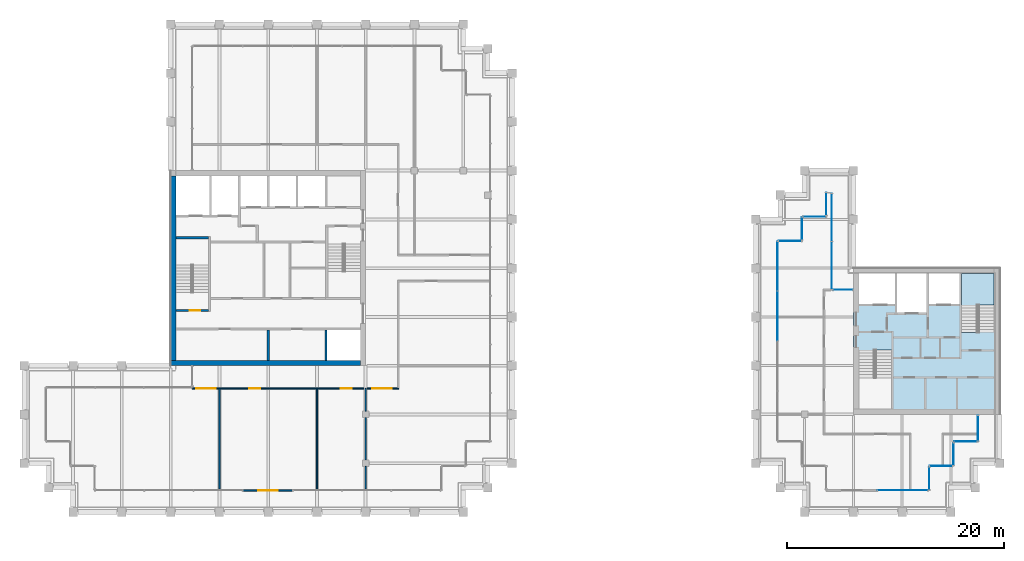
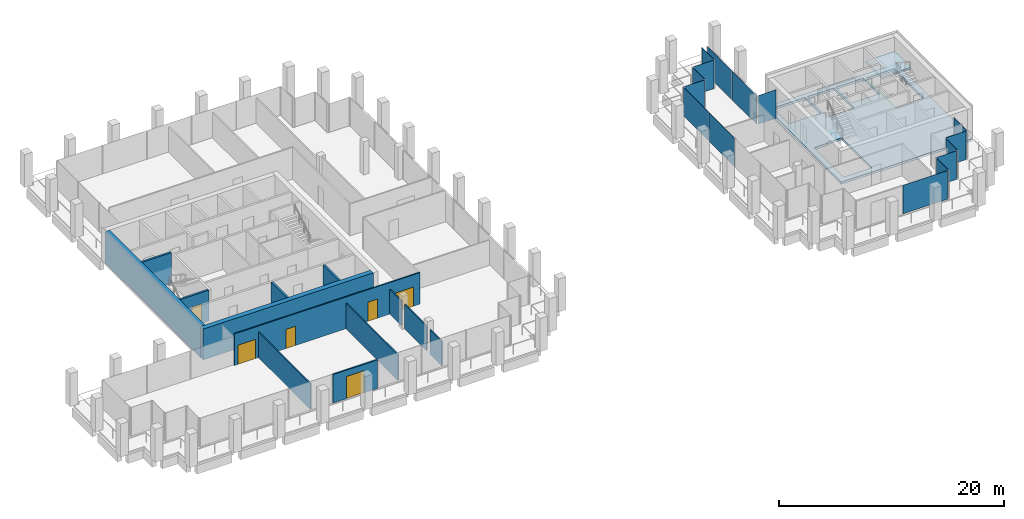
# One storey, part 35 of 40: 15 plates, 13 walls, 6 doors, 2 slabs, 6 openings, 14 elements without a shape of their own.
"""IFC4 building model written with IfcOpenShell, lengths in metres."""

from ifc_helpers import new_model, si_unit, direction, frame, frame_2d, origin, origin_2d, place, context, subcontext, project, spatial, polyline, rectangle, outline, extrude, material, layer, layer_set, type_object, element, fill, aggregate, save


model = new_model("IFC4")

# Units and contexts
model_context = context("Model", 3, precision=1e-05, world=origin(), true_north=direction((0.0, 1.0)))
body_context = subcontext(model_context, "Body", "Model", "MODEL_VIEW")
ifc_project = project(units=[si_unit("LENGTHUNIT", "METRE"), si_unit("AREAUNIT", "SQUARE_METRE"), si_unit("VOLUMEUNIT", "CUBIC_METRE"), si_unit("PLANEANGLEUNIT", "RADIAN"), si_unit("MASSUNIT", "GRAM", prefix="KILO")], contexts=[model_context])

# Site, building, storey
site_placement = place(None, origin())
site = spatial("IfcSite", under=ifc_project, at=site_placement, CompositionType="ELEMENT")
building_placement = place(site_placement, origin())
building = spatial("IfcBuilding", under=site, at=building_placement, Name="Altepetl Exchange Towers", CompositionType="ELEMENT")
storey_placement = place(building_placement, frame((0.0, 0.0, 195.60009765625)))
storey = spatial("IfcBuildingStorey", under=building, at=storey_placement, Name="L49", CompositionType="ELEMENT", Elevation=195.60009765625)

# Slab
ifc_material_1 = material(Name="Concrete C40/50", Category="concrete")
ifc_layer_1 = layer(ifc_material_1, 0.25)
ifc_layer_set_1 = layer_set([ifc_layer_1], Name="Concrete C40/50")
slab_type_1 = type_object("IfcSlabType", Name="Core floor slab 250", PredefinedType="FLOOR", material=ifc_layer_set_1)
slab_1_placement = place(storey_placement, frame((0.0, 0.0, -0.25)))
element("IfcSlab", 1, at=slab_1_placement, inside=storey, type_object=slab_type_1, Name="slab:B:L49:core0", PredefinedType="FLOOR", context=body_context, shape_type="SweptSolid", body=[
    extrude(outline(polyline([(103.5, 36.0), (117.0, 36.0), (117.0, 49.5), (103.5, 49.5), (103.5, 36.0)]), holes=[polyline([(107.0, 36.60009765625), (104.10009765625, 36.60009765625), (104.10009765625, 41.85009765625), (105.449951171875, 41.85009765625), (105.449951171875, 41.948974609375), (107.0, 41.948974609375), (107.0, 36.60009765625)]), polyline([(113.5, 48.89990234375), (116.39990234375, 48.89990234375), (116.39990234375, 43.64990234375), (115.050048828125, 43.64990234375), (115.050048828125, 43.551025390625), (113.5, 43.551025390625), (113.5, 48.89990234375)]), polyline([(107.532958984375, 45.39990234375), (107.532958984375, 49.0), (110.26708984375, 49.0), (110.26708984375, 45.39990234375), (107.532958984375, 45.39990234375)]), polyline([(104.0, 49.0), (107.3330078125, 49.0), (107.3330078125, 46.199951171875), (104.0, 46.199951171875), (104.0, 49.0)]), polyline([(110.467041015625, 49.0), (113.300048828125, 49.0), (113.300048828125, 46.199951171875), (110.467041015625, 46.199951171875), (110.467041015625, 49.0)])]), origin(), (0.0, 0.0, 1.0), 0.25),
])

# Curtain wall, plate
ifc_material_2 = material(Name="Aluminium 6063-T6 glazing", Category="aluminium")
curtain_wall_type = type_object("IfcCurtainWallType", Name="Loggia glazing system", PredefinedType="NOTDEFINED", material=ifc_material_2)
curtain_wall_1_placement = place(storey_placement, origin())
curtain_wall_1 = element("IfcCurtainWall", 2, at=curtain_wall_1_placement, inside=storey, type_object=curtain_wall_type, Name="CW1 run", PredefinedType="NOTDEFINED")
ifc_material_3 = material(Name="Glass 6-16-6 low emissivity", Category="glass")
ifc_layer_2 = layer(ifc_material_3, 0.028076171875)
ifc_layer_set_2 = layer_set([ifc_layer_2], Name="Glass 6-16-6 low emissivity")
plate_type = type_object("IfcPlateType", Name="Glass panel 28 double glazed", PredefinedType="CURTAIN_PANEL", material=ifc_layer_set_2)
plate_1_placement = place(storey_placement, frame((108.06884765625, 29.0, -0.000244140625)))
plate_1 = element("IfcPlate", 3, at=plate_1_placement, type_object=plate_type, Name="GP1 panel", PredefinedType="CURTAIN_PANEL", context=body_context, shape_type="SweptSolid", body=[
    extrude(rectangle(XDim=4.592529296875, YDim=0.028076171875, at=origin_2d()), origin(), (0.0, 0.0, 1.0), 3.10009765625),
])
aggregate(curtain_wall_1, [plate_1])

curtain_wall_2_placement = place(storey_placement, origin())
curtain_wall_2 = element("IfcCurtainWall", 4, at=curtain_wall_2_placement, inside=storey, type_object=curtain_wall_type, Name="CW1 run", PredefinedType="NOTDEFINED")
plate_2_placement = place(storey_placement, frame((110.5, 30.08740234375, -0.000244140625), z_axis=(0.0, 0.0, 1.0), x_axis=(0.0, 1.0, 0.0)))
plate_2 = element("IfcPlate", 5, at=plate_2_placement, type_object=plate_type, Name="GP1 panel", PredefinedType="CURTAIN_PANEL", context=body_context, shape_type="SweptSolid", body=[
    extrude(rectangle(XDim=2.054931640625, YDim=0.028076171875, at=origin_2d()), origin(), (0.0, 0.0, 1.0), 3.10009765625),
])
aggregate(curtain_wall_2, [plate_2])

curtain_wall_3_placement = place(storey_placement, origin())
curtain_wall_3 = element("IfcCurtainWall", 6, at=curtain_wall_3_placement, inside=storey, type_object=curtain_wall_type, Name="CW1 run", PredefinedType="NOTDEFINED")
plate_3_placement = place(storey_placement, frame((111.58740234375, 31.25, -0.000244140625)))
plate_3 = element("IfcPlate", 7, at=plate_3_placement, type_object=plate_type, Name="GP1 panel", PredefinedType="CURTAIN_PANEL", context=body_context, shape_type="SweptSolid", body=[
    extrude(rectangle(XDim=2.054931640625, YDim=0.028076171875, at=origin_2d()), origin(), (0.0, 0.0, 1.0), 3.10009765625),
])
aggregate(curtain_wall_3, [plate_3])

curtain_wall_4_placement = place(storey_placement, origin())
curtain_wall_4 = element("IfcCurtainWall", 8, at=curtain_wall_4_placement, inside=storey, type_object=curtain_wall_type, Name="CW1 run", PredefinedType="NOTDEFINED")
plate_4_placement = place(storey_placement, frame((112.75, 32.33740234375, -0.000244140625), z_axis=(0.0, 0.0, 1.0), x_axis=(0.0, 1.0, 0.0)))
plate_4 = element("IfcPlate", 9, at=plate_4_placement, type_object=plate_type, Name="GP1 panel", PredefinedType="CURTAIN_PANEL", context=body_context, shape_type="SweptSolid", body=[
    extrude(rectangle(XDim=2.054931640625, YDim=0.028076171875, at=origin_2d()), origin(), (0.0, 0.0, 1.0), 3.10009765625),
])
aggregate(curtain_wall_4, [plate_4])

curtain_wall_5_placement = place(storey_placement, origin())
curtain_wall_5 = element("IfcCurtainWall", 10, at=curtain_wall_5_placement, inside=storey, type_object=curtain_wall_type, Name="CW1 run", PredefinedType="NOTDEFINED")
plate_5_placement = place(storey_placement, frame((113.83740234375, 33.5, -0.000244140625)))
plate_5 = element("IfcPlate", 11, at=plate_5_placement, type_object=plate_type, Name="GP1 panel", PredefinedType="CURTAIN_PANEL", context=body_context, shape_type="SweptSolid", body=[
    extrude(rectangle(XDim=2.054931640625, YDim=0.028076171875, at=origin_2d()), origin(), (0.0, 0.0, 1.0), 3.10009765625),
])
aggregate(curtain_wall_5, [plate_5])

curtain_wall_6_placement = place(storey_placement, origin())
curtain_wall_6 = element("IfcCurtainWall", 12, at=curtain_wall_6_placement, inside=storey, type_object=curtain_wall_type, Name="CW1 run", PredefinedType="NOTDEFINED")
plate_6_placement = place(storey_placement, frame((115.0, 34.71240234375, -0.000244140625), z_axis=(0.0, 0.0, 1.0), x_axis=(0.0, 1.0, 0.0)))
plate_6 = element("IfcPlate", 13, at=plate_6_placement, type_object=plate_type, Name="GP1 panel", PredefinedType="CURTAIN_PANEL", context=body_context, shape_type="SweptSolid", body=[
    extrude(rectangle(XDim=2.304931640625, YDim=0.028076171875, at=origin_2d()), origin(), (0.0, 0.0, 1.0), 3.10009765625),
])
aggregate(curtain_wall_6, [plate_6])

curtain_wall_7_placement = place(storey_placement, origin())
curtain_wall_7 = element("IfcCurtainWall", 14, at=curtain_wall_7_placement, inside=storey, type_object=curtain_wall_type, Name="CW1 run", PredefinedType="NOTDEFINED")
plate_7_placement = place(storey_placement, frame((102.53759765625, 47.5, -0.000244140625), z_axis=(0.0, 0.0, 1.0), x_axis=(-1.0, 0.0, 0.0)))
plate_7 = element("IfcPlate", 15, at=plate_7_placement, type_object=plate_type, Name="GP1 panel", PredefinedType="CURTAIN_PANEL", context=body_context, shape_type="SweptSolid", body=[
    extrude(rectangle(XDim=1.804931640625, YDim=0.028076171875, at=origin_2d()), origin(), (0.0, 0.0, 1.0), 3.10009765625),
])
aggregate(curtain_wall_7, [plate_7])

# Curtain wall, plates
curtain_wall_8_placement = place(storey_placement, origin())
curtain_wall_8 = element("IfcCurtainWall", 16, at=curtain_wall_8_placement, inside=storey, type_object=curtain_wall_type, Name="CW1 run", PredefinedType="NOTDEFINED")
plate_8_placement = place(storey_placement, frame((101.5, 49.746337890625, -0.000244140625), z_axis=(0.0, 0.0, 1.0), x_axis=(0.0, 1.0, 0.0)))
plate_8 = element("IfcPlate", 17, at=plate_8_placement, type_object=plate_type, Name="GP1 panel", PredefinedType="CURTAIN_PANEL", context=body_context, shape_type="SweptSolid", body=[
    extrude(rectangle(XDim=4.37255859375, YDim=0.028076171875, at=origin_2d()), origin(), (0.0, 0.0, 1.0), 3.10009765625),
])
plate_9_placement = place(storey_placement, frame((101.5, 54.1787109375, -0.000244140625), z_axis=(0.0, 0.0, 1.0), x_axis=(0.0, 1.0, 0.0)))
plate_9 = element("IfcPlate", 18, at=plate_9_placement, type_object=plate_type, Name="GP1 panel", PredefinedType="CURTAIN_PANEL", context=body_context, shape_type="SweptSolid", body=[
    extrude(rectangle(XDim=4.37255859375, YDim=0.028076171875, at=origin_2d()), origin(), (0.0, 0.0, 1.0), 3.10009765625),
])
aggregate(curtain_wall_8, [plate_8, plate_9])

# Curtain wall, plate
curtain_wall_9_placement = place(storey_placement, origin())
curtain_wall_9 = element("IfcCurtainWall", 19, at=curtain_wall_9_placement, inside=storey, type_object=curtain_wall_type, Name="CW1 run", PredefinedType="NOTDEFINED")
plate_10_placement = place(storey_placement, frame((101.0, 55.41259765625, -0.000244140625), z_axis=(0.0, 0.0, 1.0), x_axis=(0.0, -1.0, 0.0)))
plate_10 = element("IfcPlate", 20, at=plate_10_placement, type_object=plate_type, Name="GP1 panel", PredefinedType="CURTAIN_PANEL", context=body_context, shape_type="SweptSolid", body=[
    extrude(rectangle(XDim=2.054931640625, YDim=0.028076171875, at=origin_2d()), origin(), (0.0, 0.0, 1.0), 3.10009765625),
])
aggregate(curtain_wall_9, [plate_10])

curtain_wall_10_placement = place(storey_placement, origin())
curtain_wall_10 = element("IfcCurtainWall", 21, at=curtain_wall_10_placement, inside=storey, type_object=curtain_wall_type, Name="CW1 run", PredefinedType="NOTDEFINED")
plate_11_placement = place(storey_placement, frame((99.91259765625, 54.25, -0.000244140625), z_axis=(0.0, 0.0, 1.0), x_axis=(-1.0, 0.0, 0.0)))
plate_11 = element("IfcPlate", 22, at=plate_11_placement, type_object=plate_type, Name="GP1 panel", PredefinedType="CURTAIN_PANEL", context=body_context, shape_type="SweptSolid", body=[
    extrude(rectangle(XDim=2.054931640625, YDim=0.028076171875, at=origin_2d()), origin(), (0.0, 0.0, 1.0), 3.10009765625),
])
aggregate(curtain_wall_10, [plate_11])

curtain_wall_11_placement = place(storey_placement, origin())
curtain_wall_11 = element("IfcCurtainWall", 23, at=curtain_wall_11_placement, inside=storey, type_object=curtain_wall_type, Name="CW1 run", PredefinedType="NOTDEFINED")
plate_12_placement = place(storey_placement, frame((98.75, 53.16259765625, -0.000244140625), z_axis=(0.0, 0.0, 1.0), x_axis=(0.0, -1.0, 0.0)))
plate_12 = element("IfcPlate", 24, at=plate_12_placement, type_object=plate_type, Name="GP1 panel", PredefinedType="CURTAIN_PANEL", context=body_context, shape_type="SweptSolid", body=[
    extrude(rectangle(XDim=2.054931640625, YDim=0.028076171875, at=origin_2d()), origin(), (0.0, 0.0, 1.0), 3.10009765625),
])
aggregate(curtain_wall_11, [plate_12])

curtain_wall_12_placement = place(storey_placement, origin())
curtain_wall_12 = element("IfcCurtainWall", 25, at=curtain_wall_12_placement, inside=storey, type_object=curtain_wall_type, Name="CW1 run", PredefinedType="NOTDEFINED")
plate_13_placement = place(storey_placement, frame((97.66259765625, 52.0, -0.000244140625), z_axis=(0.0, 0.0, 1.0), x_axis=(-1.0, 0.0, 0.0)))
plate_13 = element("IfcPlate", 26, at=plate_13_placement, type_object=plate_type, Name="GP1 panel", PredefinedType="CURTAIN_PANEL", context=body_context, shape_type="SweptSolid", body=[
    extrude(rectangle(XDim=2.054931640625, YDim=0.028076171875, at=origin_2d()), origin(), (0.0, 0.0, 1.0), 3.10009765625),
])
aggregate(curtain_wall_12, [plate_13])

# Curtain wall, plates
curtain_wall_13_placement = place(storey_placement, origin())
curtain_wall_13 = element("IfcCurtainWall", 27, at=curtain_wall_13_placement, inside=storey, type_object=curtain_wall_type, Name="CW1 run", PredefinedType="NOTDEFINED")
plate_14_placement = place(storey_placement, frame((96.5, 49.681884765625, -0.000244140625), z_axis=(0.0, 0.0, 1.0), x_axis=(0.0, -1.0, 0.0)))
plate_14 = element("IfcPlate", 28, at=plate_14_placement, type_object=plate_type, Name="GP1 panel", PredefinedType="CURTAIN_PANEL", context=body_context, shape_type="SweptSolid", body=[
    extrude(rectangle(XDim=4.516357421875, YDim=0.028076171875, at=origin_2d()), origin(), (0.0, 0.0, 1.0), 3.10009765625),
])
plate_15_placement = place(storey_placement, frame((96.5, 45.090576171875, -0.000244140625), z_axis=(0.0, 0.0, 1.0), x_axis=(0.0, -1.0, 0.0)))
plate_15 = element("IfcPlate", 29, at=plate_15_placement, type_object=plate_type, Name="GP1 panel", PredefinedType="CURTAIN_PANEL", context=body_context, shape_type="SweptSolid", body=[
    extrude(rectangle(XDim=4.546142578125, YDim=0.028076171875, at=origin_2d()), origin(), (0.0, 0.0, 1.0), 3.10009765625),
])
aggregate(curtain_wall_13, [plate_14, plate_15])

# Stair, slab
stair_type = type_object("IfcStairType", Name="Exit stair 1450 flights dogleg", PredefinedType="HALF_TURN_STAIR", material=ifc_material_1)
stair_placement = place(storey_placement, origin())
stair = element("IfcStair", 30, at=stair_placement, inside=storey, type_object=stair_type, Name="Exit stair 2", PredefinedType="HALF_TURN_STAIR")
ifc_layer_3 = layer(ifc_material_1, 0.199951171875)
ifc_layer_set_3 = layer_set([ifc_layer_3], Name="Concrete C40/50")
slab_type_2 = type_object("IfcSlabType", Name="Stair landing 200 reinforced concrete", PredefinedType="LANDING", material=ifc_layer_set_3)
slab_2_placement = place(storey_placement, frame((0.0, 0.0, 1.599853515625)))
slab_2 = element("IfcSlab", 31, at=slab_2_placement, type_object=slab_type_2, Name="ST-B2f landing 1", PredefinedType="LANDING", context=body_context, shape_type="SweptSolid", body=[
    extrude(outline(polyline([(114.949951171875, 46.014892578125), (113.5, 46.014892578125), (113.5, 46.114990234375), (113.5, 49.0), (116.5, 49.0), (116.5, 46.114990234375), (116.5, 46.1142578125), (115.050048828125, 46.1142578125), (115.050048828125, 46.114990234375), (114.949951171875, 46.114990234375), (114.949951171875, 46.014892578125)])), origin(), (0.0, 0.0, 1.0), 0.199951171875),
])
aggregate(stair, [slab_2])

# Walls
ifc_material_4 = material(Name="Concrete C70/85", Category="concrete")
ifc_layer_4 = layer(ifc_material_4, 0.5)
ifc_layer_set_4 = layer_set([ifc_layer_4], Name="Concrete C70/85")
wall_type_1 = type_object("IfcWallType", Name="Core wall 500 reinforced concrete", PredefinedType="SHEAR", material=ifc_layer_set_4)
wall_1_placement = place(storey_placement, frame((40.5, 40.75, 0.0)))
element("IfcWall", 32, at=wall_1_placement, inside=storey, type_object=wall_type_1, Name="wall:A:L49:K-coreS", PredefinedType="SHEAR", context=body_context, shape_type="SweptSolid", body=[
    extrude(rectangle(XDim=17.5, YDim=0.5, at=frame_2d((8.75, 0.0))), origin(), (0.0, 0.0, 1.0), 3.349853515625),
])
ifc_layer_5 = layer(ifc_material_4, 0.5)
ifc_layer_set_5 = layer_set([ifc_layer_5], Name="Concrete C70/85")
wall_type_2 = type_object("IfcWallType", Name="Core wall 500 reinforced concrete external", PredefinedType="SHEAR", material=ifc_layer_set_5)
wall_2_placement = place(storey_placement, frame((40.75, 41.0, 0.0), z_axis=(0.0, 0.0, 1.0), x_axis=(0.0, 1.0, 0.0)))
element("IfcWall", 33, at=wall_2_placement, inside=storey, type_object=wall_type_2, Name="wall:A:L49:K-coreW", PredefinedType="SHEAR", context=body_context, shape_type="SweptSolid", body=[
    extrude(rectangle(XDim=17.0, YDim=0.5, at=frame_2d((8.5, 0.0))), origin(), (0.0, 0.0, 1.0), 3.349853515625),
])

# Wall, opening, door
ifc_material_5 = material(Name="Aluminium composite cladding", Category="aluminium")
ifc_layer_6 = layer(ifc_material_5, 0.14990234375)
ifc_layer_set_6 = layer_set([ifc_layer_6], Name="Aluminium composite cladding")
wall_type_3 = type_object("IfcWallType", Name="Infill wall 150 aluminium panel", PredefinedType="SOLIDWALL", material=ifc_layer_set_6)
wall_3_placement = place(storey_placement, frame((47.18212890625, 29.0, 0.0)))
wall_3 = element("IfcWall", 34, at=wall_3_placement, inside=storey, type_object=wall_type_3, Name="Loggia door bay wall", PredefinedType="SOLIDWALL", context=body_context, shape_type="SweptSolid", body=[
    extrude(rectangle(XDim=4.560791015625, YDim=0.14990234375, at=frame_2d((2.2802734375, 0.0))), origin(), (0.0, 0.0, 1.0), 3.099853515625),
])
opening_1_placement = place(wall_3_placement, frame((1.38037109375, 0.0, 0.0)))
opening_1 = element("IfcOpeningElement", 35, at=opening_1_placement, cuts=wall_3, Name="Opening L49.A90", PredefinedType="OPENING", context=body_context, shape_type="SweptSolid", body=[
    extrude(rectangle(XDim=1.800048828125, YDim=2.39990234375, at=frame_2d((0.89990234375, 1.199951171875))), frame((0.0, 0.0849609375, 0.0), z_axis=(0.0, -1.0, 0.0), x_axis=(1.0, 0.0, 0.0)), (0.0, 0.0, 1.0), 0.169921875),
])
ifc_material_6 = material(Name="Aluminium 6063-T6 and glass", Category="aluminium")
door_type_1 = type_object("IfcDoorType", Name="Glazed door pair 1800x2400", OperationType="DOUBLE_DOOR_DOUBLE_SWING", PredefinedType="NOTDEFINED", material=ifc_material_6)
door_1_placement = place(opening_1_placement, frame((1.800048828125, 0.0, 0.0), x_axis=(-1.0, 0.0, 0.0)))
door_1 = element("IfcDoor", 36, at=door_1_placement, inside=storey, type_object=door_type_1, Name="Loggia door", OperationType="DOUBLE_DOOR_DOUBLE_SWING", OverallHeight=2.39990234375, OverallWidth=1.800048828125, PredefinedType="NOTDEFINED", context=body_context, shape_type="SweptSolid", body=[
    extrude(rectangle(XDim=1.800048828125, YDim=2.39990234375, at=frame_2d((0.89990234375, 1.199951171875))), frame((0.0, 0.02490234375, 0.0), z_axis=(0.0, -1.0, 0.0), x_axis=(1.0, 0.0, 0.0)), (0.0, 0.0, 1.0), 0.050048828125),
])
fill(opening_1, door_1)

# Wall, openings, doors
ifc_material_7 = material(Name="Gypsum board on steel studs", Category="steel")
ifc_layer_7 = layer(ifc_material_7, 0.125)
ifc_layer_set_7 = layer_set([ifc_layer_7], Name="Gypsum board on steel studs")
wall_type_4 = type_object("IfcWallType", Name="Partition 125 gypsum board on steel studs", PredefinedType="PARTITIONING", material=ifc_layer_set_7)
wall_4_placement = place(storey_placement, frame((42.5, 38.39990234375, 0.0)))
wall_4 = element("IfcWall", 37, at=wall_4_placement, inside=storey, type_object=wall_type_4, Name="wall:A:L49:P01", PredefinedType="PARTITIONING", context=body_context, shape_type="SweptSolid", body=[
    extrude(rectangle(XDim=19.0625, YDim=0.125, at=frame_2d((9.53125, 0.0))), origin(), (0.0, 0.0, 1.0), 3.449951171875),
])
opening_2_placement = place(wall_4_placement, frame((0.35009765625, 0.0, 0.0)))
opening_2 = element("IfcOpeningElement", 38, at=opening_2_placement, cuts=wall_4, Name="Opening L49.A01", PredefinedType="OPENING", context=body_context, shape_type="SweptSolid", body=[
    extrude(rectangle(XDim=1.800048828125, YDim=2.10009765625, at=frame_2d((0.89990234375, 1.050048828125))), frame((0.0, 0.072509765625, 0.0), z_axis=(0.0, -1.0, 0.0), x_axis=(1.0, 0.0, 0.0)), (0.0, 0.0, 1.0), 0.14501953125),
])
opening_3_placement = place(wall_4_placement, frame((5.258056640625, 0.0, 0.0)))
opening_3 = element("IfcOpeningElement", 39, at=opening_3_placement, cuts=wall_4, Name="Opening L49.A02", PredefinedType="OPENING", context=body_context, shape_type="SweptSolid", body=[
    extrude(rectangle(XDim=1.0, YDim=2.10009765625, at=frame_2d((0.5, 1.050048828125))), frame((0.0, 0.072509765625, 0.0), z_axis=(0.0, -1.0, 0.0), x_axis=(1.0, 0.0, 0.0)), (0.0, 0.0, 1.0), 0.14501953125),
])
opening_4_placement = place(wall_4_placement, frame((13.705078125, 0.0, 0.0)))
opening_4 = element("IfcOpeningElement", 40, at=opening_4_placement, cuts=wall_4, Name="Opening L49.A03", PredefinedType="OPENING", context=body_context, shape_type="SweptSolid", body=[
    extrude(rectangle(XDim=1.0, YDim=2.10009765625, at=frame_2d((0.5, 1.050048828125))), frame((0.0, 0.072509765625, 0.0), z_axis=(0.0, -1.0, 0.0), x_axis=(1.0, 0.0, 0.0)), (0.0, 0.0, 1.0), 0.14501953125),
])
opening_5_placement = place(wall_4_placement, frame((16.60009765625, 0.0, 0.0)))
opening_5 = element("IfcOpeningElement", 41, at=opening_5_placement, cuts=wall_4, Name="Opening L49.A04", PredefinedType="OPENING", context=body_context, shape_type="SweptSolid", body=[
    extrude(rectangle(XDim=1.800048828125, YDim=2.10009765625, at=frame_2d((0.89990234375, 1.050048828125))), frame((0.0, 0.072509765625, 0.0), z_axis=(0.0, -1.0, 0.0), x_axis=(1.0, 0.0, 0.0)), (0.0, 0.0, 1.0), 0.14501953125),
])
ifc_material_8 = material(Name="Steel and timber fire door", Category="steel")
door_type_2 = type_object("IfcDoorType", Name="Fire door 1000 x 2100 single leaf", OperationType="SINGLE_SWING_LEFT", PredefinedType="DOOR", material=ifc_material_8)
door_2_placement = place(opening_3_placement, frame((1.0, 0.0, 0.0), x_axis=(-1.0, 0.0, 0.0)))
door_2 = element("IfcDoor", 42, at=door_2_placement, inside=storey, type_object=door_type_2, Name="door:A:L49:02", OperationType="SINGLE_SWING_RIGHT", OverallHeight=2.10009765625, OverallWidth=1.0, PredefinedType="DOOR", context=body_context, shape_type="SweptSolid", body=[
    extrude(rectangle(XDim=1.0, YDim=2.10009765625, at=frame_2d((0.5, 1.050048828125))), frame((0.0, 0.02490234375, 0.0), z_axis=(0.0, -1.0, 0.0), x_axis=(1.0, 0.0, 0.0)), (0.0, 0.0, 1.0), 0.050048828125),
])
fill(opening_3, door_2)
door_3_placement = place(opening_4_placement, frame((1.0, 0.0, 0.0), x_axis=(-1.0, 0.0, 0.0)))
door_3 = element("IfcDoor", 43, at=door_3_placement, inside=storey, type_object=door_type_2, Name="door:A:L49:03", OperationType="SINGLE_SWING_LEFT", OverallHeight=2.10009765625, OverallWidth=1.0, PredefinedType="DOOR", context=body_context, shape_type="SweptSolid", body=[
    extrude(rectangle(XDim=1.0, YDim=2.10009765625, at=frame_2d((0.5, 1.050048828125))), frame((0.0, 0.02490234375, 0.0), z_axis=(0.0, -1.0, 0.0), x_axis=(1.0, 0.0, 0.0)), (0.0, 0.0, 1.0), 0.050048828125),
])
fill(opening_4, door_3)
door_type_3 = type_object("IfcDoorType", Name="Fire door 1800 x 2100 double leaf", OperationType="DOUBLE_DOOR_SINGLE_SWING", PredefinedType="DOOR", material=ifc_material_8)
door_4_placement = place(opening_2_placement, frame((1.800048828125, 0.0, 0.0), x_axis=(-1.0, 0.0, 0.0)))
door_4 = element("IfcDoor", 44, at=door_4_placement, inside=storey, type_object=door_type_3, Name="door:A:L49:01", OperationType="DOUBLE_DOOR_SINGLE_SWING", OverallHeight=2.10009765625, OverallWidth=1.800048828125, PredefinedType="DOOR", context=body_context, shape_type="SweptSolid", body=[
    extrude(rectangle(XDim=1.800048828125, YDim=2.10009765625, at=frame_2d((0.89990234375, 1.050048828125))), frame((0.0, 0.02490234375, 0.0), z_axis=(0.0, -1.0, 0.0), x_axis=(1.0, 0.0, 0.0)), (0.0, 0.0, 1.0), 0.050048828125),
])
fill(opening_2, door_4)
door_5_placement = place(opening_5_placement, frame((1.800048828125, 0.0, 0.0), x_axis=(-1.0, 0.0, 0.0)))
door_5 = element("IfcDoor", 45, at=door_5_placement, inside=storey, type_object=door_type_3, Name="door:A:L49:04", OperationType="DOUBLE_DOOR_SINGLE_SWING", OverallHeight=2.10009765625, OverallWidth=1.800048828125, PredefinedType="DOOR", context=body_context, shape_type="SweptSolid", body=[
    extrude(rectangle(XDim=1.800048828125, YDim=2.10009765625, at=frame_2d((0.89990234375, 1.050048828125))), frame((0.0, 0.02490234375, 0.0), z_axis=(0.0, -1.0, 0.0), x_axis=(1.0, 0.0, 0.0)), (0.0, 0.0, 1.0), 0.050048828125),
])
fill(opening_5, door_5)

# Walls
for number, where, z_axis, x_axis, name in (
    (46, (45.0, 29.10009765625, 0.0), (0.0, 0.0, 1.0), (0.0, 1.0, 0.0), "wall:A:L49:P06"),
    (47, (54.0, 29.10009765625, 0.0), (0.0, 0.0, 1.0), (0.0, 1.0, 0.0), "wall:A:L49:P07"),
):
    element("IfcWall", number, at=place(storey_placement, frame(where, z_axis=z_axis, x_axis=x_axis)), inside=storey, type_object=wall_type_4, Name=name, PredefinedType="PARTITIONING", context=body_context, shape_type="SweptSolid", body=[
        extrude(rectangle(XDim=9.2998046875, YDim=0.125, at=frame_2d((4.64990234375, 0.0))), origin(), (0.0, 0.0, 1.0), 2.77197265625),
    ])
wall_5_placement = place(storey_placement, frame((58.5, 29.10009765625, 0.0), z_axis=(0.0, 0.0, 1.0), x_axis=(0.0, 1.0, 0.0)))
element("IfcWall", 48, at=wall_5_placement, inside=storey, type_object=wall_type_4, Name="wall:A:L49:P09", PredefinedType="PARTITIONING", context=body_context, shape_type="SweptSolid", body=[
    extrude(rectangle(XDim=2.099853515625, YDim=0.125, at=frame_2d((1.0498046875, 0.0))), origin(), (0.0, 0.0, 1.0), 2.67578125),
])
wall_6_placement = place(storey_placement, frame((58.5, 31.800048828125, 0.0), z_axis=(0.0, 0.0, 1.0), x_axis=(0.0, 1.0, 0.0)))
element("IfcWall", 49, at=wall_6_placement, inside=storey, type_object=wall_type_4, Name="wall:A:L49:P10", PredefinedType="PARTITIONING", context=body_context, shape_type="SweptSolid", body=[
    extrude(rectangle(XDim=3.89990234375, YDim=0.125, at=frame_2d((1.949951171875, 0.0))), origin(), (0.0, 0.0, 1.0), 2.67578125),
])
wall_7_placement = place(storey_placement, frame((58.5, 36.300048828125, 0.0), z_axis=(0.0, 0.0, 1.0), x_axis=(0.0, 1.0, 0.0)))
element("IfcWall", 50, at=wall_7_placement, inside=storey, type_object=wall_type_4, Name="wall:A:L49:P11", PredefinedType="PARTITIONING", context=body_context, shape_type="SweptSolid", body=[
    extrude(rectangle(XDim=2.099853515625, YDim=0.125, at=frame_2d((1.0498046875, 0.0))), origin(), (0.0, 0.0, 1.0), 2.67578125),
])
ifc_layer_8 = layer(ifc_material_1, 0.199951171875)
ifc_layer_set_8 = layer_set([ifc_layer_8], Name="Concrete C40/50")
wall_type_5 = type_object("IfcWallType", Name="Shaft wall 200 reinforced concrete", PredefinedType="SHEAR", material=ifc_layer_set_8)
wall_8_placement = place(storey_placement, frame((54.833251953125, 41.0, 0.0), z_axis=(0.0, 0.0, 1.0), x_axis=(0.0, 1.0, 0.0)))
element("IfcWall", 51, at=wall_8_placement, inside=storey, type_object=wall_type_5, Name="wall:A:L49:K-divS5", PredefinedType="SHEAR", context=body_context, shape_type="SweptSolid", body=[
    extrude(rectangle(XDim=2.800048828125, YDim=0.199951171875, at=frame_2d((1.39990234375, 0.0))), origin(), (0.0, 0.0, 1.0), 3.349853515625),
])
ifc_layer_9 = layer(ifc_material_4, 0.199951171875)
ifc_layer_set_9 = layer_set([ifc_layer_9], Name="Concrete C70/85")
wall_type_6 = type_object("IfcWallType", Name="Shear wall 200 reinforced concrete", PredefinedType="SHEAR", material=ifc_layer_set_9)
wall_9_placement = place(storey_placement, frame((49.5, 41.0, 0.0), z_axis=(0.0, 0.0, 1.0), x_axis=(0.0, 1.0, 0.0)))
element("IfcWall", 52, at=wall_9_placement, inside=storey, type_object=wall_type_6, Name="wall:A:L49:K-divS3", PredefinedType="SHEAR", context=body_context, shape_type="SweptSolid", body=[
    extrude(rectangle(XDim=2.800048828125, YDim=0.199951171875, at=frame_2d((1.39990234375, 0.0))), origin(), (0.0, 0.0, 1.0), 3.349853515625),
])
ifc_layer_10 = layer(ifc_material_1, 0.199951171875)
ifc_layer_set_10 = layer_set([ifc_layer_10], Name="Concrete C40/50")
wall_type_7 = type_object("IfcWallType", Name="Stair wall 200 reinforced concrete", PredefinedType="SHEAR", material=ifc_layer_set_10)
wall_10_placement = place(storey_placement, frame((41.0, 52.300048828125, 0.0)))
element("IfcWall", 53, at=wall_10_placement, inside=storey, type_object=wall_type_7, Name="wall:A:L49:K-stS1N", PredefinedType="SHEAR", context=body_context, shape_type="SweptSolid", body=[
    extrude(rectangle(XDim=3.0, YDim=0.199951171875, at=frame_2d((1.5, 0.0))), origin(), (0.0, 0.0, 1.0), 3.349853515625),
])

# Wall, opening, door
wall_11_placement = place(storey_placement, frame((41.0, 45.60009765625, 0.0)))
wall_11 = element("IfcWall", 54, at=wall_11_placement, inside=storey, type_object=wall_type_7, Name="wall:A:L49:K-stS1S", PredefinedType="SHEAR", context=body_context, shape_type="SweptSolid", body=[
    extrude(rectangle(XDim=3.0, YDim=0.199951171875, at=frame_2d((1.5, 0.0))), origin(), (0.0, 0.0, 1.0), 3.349853515625),
])
opening_6_placement = place(wall_11_placement, frame((1.25, 0.0, 0.0)))
opening_6 = element("IfcOpeningElement", 55, at=opening_6_placement, cuts=wall_11, Name="Opening L49.A62", PredefinedType="OPENING", context=body_context, shape_type="SweptSolid", body=[
    extrude(rectangle(XDim=1.0, YDim=2.10009765625, at=frame_2d((0.5, 1.050048828125))), frame((0.0, 0.10986328125, 0.0), z_axis=(0.0, -1.0, 0.0), x_axis=(1.0, 0.0, 0.0)), (0.0, 0.0, 1.0), 0.219970703125),
])
door_type_4 = type_object("IfcDoorType", Name="Fire door 1000 x 2100 stair and lobby", OperationType="SINGLE_SWING_LEFT", PredefinedType="DOOR", material=ifc_material_8)
door_6_placement = place(opening_6_placement, origin())
door_6 = element("IfcDoor", 56, at=door_6_placement, inside=storey, type_object=door_type_4, Name="door:A:L49:K-dS1in", OperationType="SINGLE_SWING_RIGHT", OverallHeight=2.10009765625, OverallWidth=1.0, PredefinedType="DOOR", context=body_context, shape_type="SweptSolid", body=[
    extrude(rectangle(XDim=1.0, YDim=2.10009765625, at=frame_2d((0.5, 1.050048828125))), frame((0.0, 0.02490234375, 0.0), z_axis=(0.0, -1.0, 0.0), x_axis=(1.0, 0.0, 0.0)), (0.0, 0.0, 1.0), 0.050048828125),
])
fill(opening_6, door_6)

save(model, "model.ifc")
